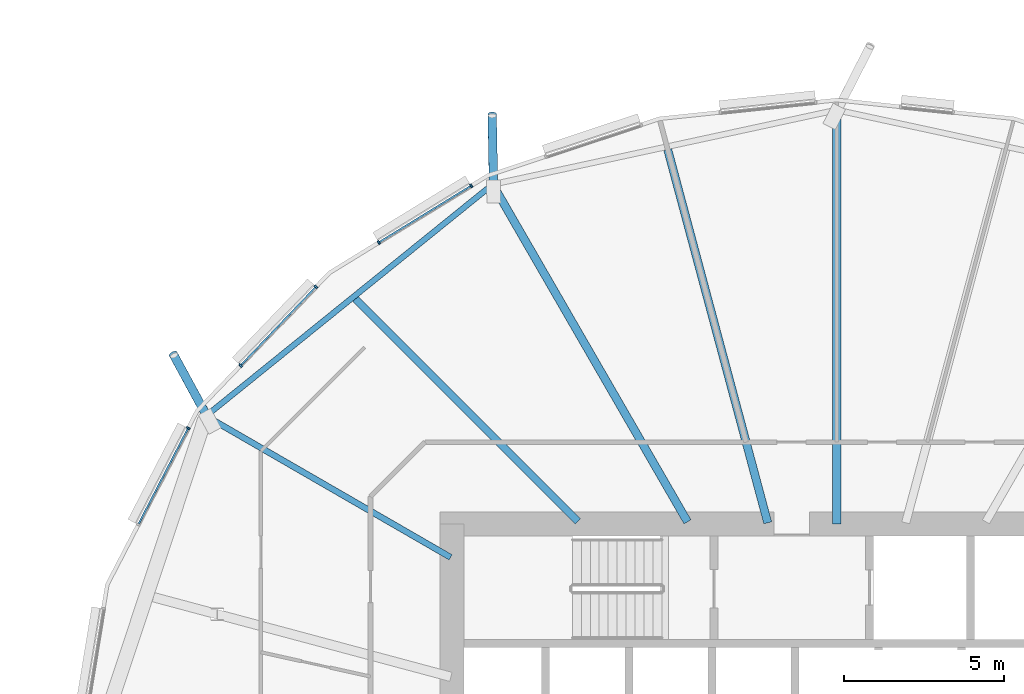
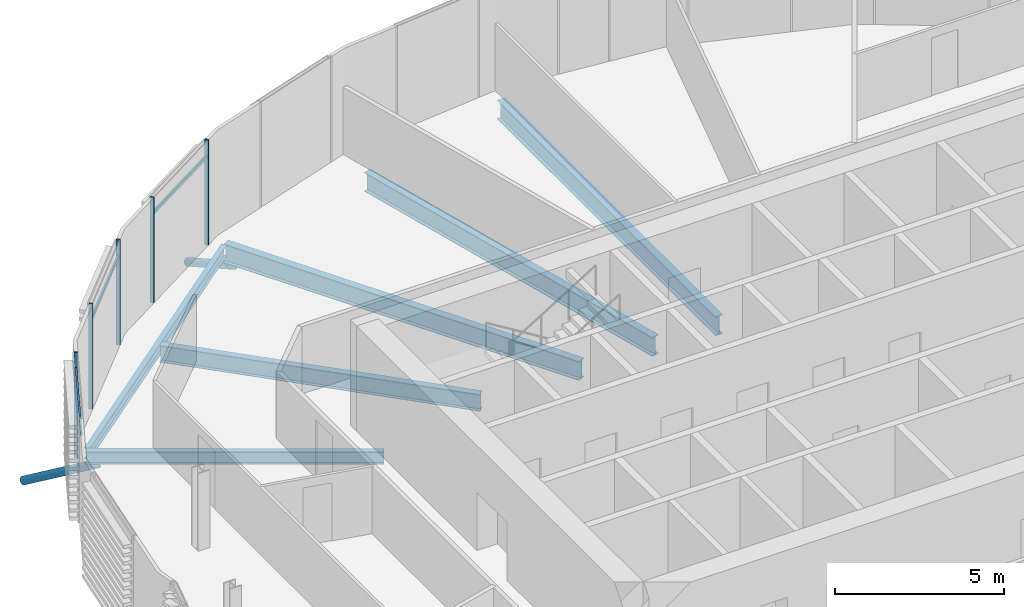
# One storey, part 9 of 43: 10 members, 6 beams, 1 element without a shape of its own.
"""IFC4 building model written with IfcOpenShell, lengths in metres."""

from ifc_helpers import new_model, si_unit, direction, frame, origin, origin_2d, place, context, subcontext, project, spatial, rectangle, hollow_circle, i_section, extrude, clip, halfspace, material, material_profile, profile_set, type_object, element, aggregate, save


model = new_model("IFC4")

# Units and contexts
model_context = context("Model", 3, precision=1e-05, world=origin(), true_north=direction((0.0, 1.0)))
body_context = subcontext(model_context, "Body", "Model", "MODEL_VIEW")
ifc_project = project(units=[si_unit("LENGTHUNIT", "METRE"), si_unit("AREAUNIT", "SQUARE_METRE"), si_unit("VOLUMEUNIT", "CUBIC_METRE"), si_unit("PLANEANGLEUNIT", "RADIAN"), si_unit("MASSUNIT", "GRAM", prefix="KILO")], contexts=[model_context])

# Site, building, storey
site_placement = place(None, origin())
site = spatial("IfcSite", under=ifc_project, at=site_placement, CompositionType="ELEMENT")
building_placement = place(site_placement, origin())
building = spatial("IfcBuilding", under=site, at=building_placement, Name="Rimbun Link Towers", CompositionType="ELEMENT")
storey_placement = place(building_placement, frame((0.0, 0.0, 81.60009765625)))
storey = spatial("IfcBuildingStorey", under=building, at=storey_placement, Name="L19", CompositionType="ELEMENT", Elevation=81.60009765625)

# Curtain wall, members
ifc_material_1 = material(Name="Aluminium 6063-T6 and low-iron glass", Category="aluminium")
curtain_wall_type = type_object("IfcCurtainWallType", Name="CW1-Z2 unitised vision wall (zone 2)", PredefinedType="NOTDEFINED", material=ifc_material_1)
curtain_wall_placement = place(storey_placement, origin())
curtain_wall = element("IfcCurtainWall", 1, at=curtain_wall_placement, inside=storey, type_object=curtain_wall_type, Name="CW1 L19 T1", PredefinedType="NOTDEFINED")
ifc_material_2 = material(Name="Aluminium 6063-T6", Category="aluminium")
ifc_material_profile_1 = material_profile(ifc_material_2, rectangle(XDim=0.1201171875, YDim=0.06005859375, at=origin_2d()), Name="MULLION 60X120")
ifc_profile_set_1 = profile_set([ifc_material_profile_1], Name="Aluminium 6063-T6")
member_type_1 = type_object("IfcMemberType", Name="CW1 mullion 60X120", PredefinedType="MULLION", material=ifc_profile_set_1)
member_1_placement = place(storey_placement, frame((-46.035888671875, 16.781494140625, 0.0), z_axis=(0.0, 0.0, 1.0), x_axis=(-0.523237248968, 0.852187057689, 0.0)))
member_1 = element("IfcMember", 2, at=member_1_placement, type_object=member_type_1, Name="CW1 mullion", PredefinedType="MULLION", context=body_context, shape_type="SweptSolid", body=[
    extrude(rectangle(XDim=0.1201171875, YDim=0.06005859375, at=origin_2d()), origin(), (0.0, 0.0, 1.0), 3.7998046875),
])
member_2_placement = place(storey_placement, frame((-43.154541015625, 18.550537109375, 0.0), z_axis=(0.0, 0.0, 1.0), x_axis=(-0.523237248968, 0.852187057689, 0.0)))
member_2 = element("IfcMember", 3, at=member_2_placement, type_object=member_type_1, Name="CW1 mullion", PredefinedType="MULLION", context=body_context, shape_type="SweptSolid", body=[
    extrude(rectangle(XDim=0.1201171875, YDim=0.06005859375, at=origin_2d()), origin(), (0.0, 0.0, 1.0), 3.7998046875),
])
member_3_placement = place(storey_placement, frame((-50.3505859375, 12.942138671875, 0.0), z_axis=(0.0, 0.0, 1.0), x_axis=(-0.721839179549, 0.692060834658, 0.0)))
member_3 = element("IfcMember", 4, at=member_3_placement, type_object=member_type_1, Name="CW1 mullion", PredefinedType="MULLION", context=body_context, shape_type="SweptSolid", body=[
    extrude(rectangle(XDim=0.1201171875, YDim=0.06005859375, at=origin_2d()), origin(), (0.0, 0.0, 1.0), 3.7998046875),
])
member_4_placement = place(storey_placement, frame((-47.9970703125, 15.39697265625, 0.0), z_axis=(0.0, 0.0, 1.0), x_axis=(-0.721839179549, 0.692060834658, 0.0)))
member_4 = element("IfcMember", 5, at=member_4_placement, type_object=member_type_1, Name="CW1 mullion", PredefinedType="MULLION", context=body_context, shape_type="SweptSolid", body=[
    extrude(rectangle(XDim=0.1201171875, YDim=0.06005859375, at=origin_2d()), origin(), (0.0, 0.0, 1.0), 3.7998046875),
])
member_5_placement = place(storey_placement, frame((-51.985595703125, 10.98779296875, 0.0), z_axis=(0.0, 0.0, 1.0), x_axis=(-0.888154791602, 0.459544411514, 0.0)))
member_5 = element("IfcMember", 6, at=member_5_placement, type_object=member_type_1, Name="CW1 mullion", PredefinedType="MULLION", context=body_context, shape_type="SweptSolid", body=[
    extrude(rectangle(XDim=0.1201171875, YDim=0.06005859375, at=origin_2d()), origin(), (0.0, 0.0, 1.0), 3.7998046875),
])
ifc_material_3 = material(Name="Aluminium 6063-T6", Category="aluminium")
ifc_material_profile_2 = material_profile(ifc_material_3, rectangle(XDim=0.06005859375, YDim=0.1201171875, at=origin_2d()), Name="TRANSOM 60X120")
ifc_profile_set_2 = profile_set([ifc_material_profile_2], Name="Aluminium 6063-T6")
member_type_2 = type_object("IfcMemberType", Name="CW1 transom 60X120", PredefinedType="USERDEFINED", material=ifc_profile_set_2)
member_6_placement = place(storey_placement, frame((-46.00927734375, 16.79541015625, 3.199951171875), z_axis=(0.852167775137, 0.523268652814, 0.0), x_axis=(-0.523268652814, 0.852167775137, 0.0)))
member_6 = element("IfcMember", 7, at=member_6_placement, type_object=member_type_2, Name="CW1 transom", ObjectType="TRANSOM", PredefinedType="USERDEFINED", context=body_context, shape_type="SweptSolid", body=[
    extrude(rectangle(XDim=0.06005859375, YDim=0.1201171875, at=origin_2d()), origin(), (0.0, 0.0, 1.0), 3.321044921875),
])
member_7_placement = place(storey_placement, frame((-50.328369140625, 12.96240234375, 3.199951171875), z_axis=(0.692078357172, 0.721822379491, 0.0), x_axis=(-0.721822379491, 0.692078357172, 0.0)))
member_7 = element("IfcMember", 8, at=member_7_placement, type_object=member_type_2, Name="CW1 transom", ObjectType="TRANSOM", PredefinedType="USERDEFINED", context=body_context, shape_type="SweptSolid", body=[
    extrude(rectangle(XDim=0.06005859375, YDim=0.1201171875, at=origin_2d()), origin(), (0.0, 0.0, 1.0), 3.340576171875),
])
member_8_placement = place(storey_placement, frame((-53.528076171875, 8.00244140625, 3.199951171875), z_axis=(0.459516653287, 0.888169153569, 0.0), x_axis=(-0.888169153569, 0.459516653287, 0.0)))
member_8 = element("IfcMember", 9, at=member_8_placement, type_object=member_type_2, Name="CW1 transom", ObjectType="TRANSOM", PredefinedType="USERDEFINED", context=body_context, shape_type="SweptSolid", body=[
    extrude(rectangle(XDim=0.06005859375, YDim=0.1201171875, at=origin_2d()), origin(), (0.0, 0.0, 1.0), 3.330078125),
])
aggregate(curtain_wall, [member_1, member_2, member_3, member_4, member_5, member_6, member_7, member_8])

# Members
ifc_material_4 = material(Name="Steel S355J2H", Category="steel")
ifc_material_profile_3 = material_profile(ifc_material_4, hollow_circle(Radius=0.136474609375, WallThickness=0.012451171875, at=origin_2d()), Name="CHS 273x12.5")
ifc_profile_set_3 = profile_set([ifc_material_profile_3], Name="Steel S355J2H")
member_type_3 = type_object("IfcMemberType", Name="Floor edge link CHS 273x12.5", PredefinedType="BRACE", material=ifc_profile_set_3)
member_9_placement = place(storey_placement, frame((-42.459228515625, 18.549072265625, -0.96240234375), z_axis=(-0.016806815258, 0.873763406869, -0.486060736717), x_axis=(-0.99981505923, -0.019231415347, 0.0)))
element("IfcMember", 10, at=member_9_placement, inside=storey, type_object=member_type_3, Name="Floor edge link T1 L19 08", PredefinedType="BRACE", context=body_context, shape_type="Clipping", body=[
    clip(extrude(hollow_circle(Radius=0.136474609375, WallThickness=0.012451171875, at=origin_2d()), frame((0.0, 0.0, -0.511474609375)), (0.0, 0.0, 1.0), 3.068115234375), halfspace(frame((0.0, 0.0, -0.240234375), z_axis=(0.0, 0.873925031237, -0.486060736717)), False)),
])
member_10_placement = place(storey_placement, frame((-51.390380859375, 11.33935546875, -0.72998046875), z_axis=(-0.408420751256, 0.752191280358, -0.517108081253), x_axis=(-0.878810151557, -0.477171580797, 0.0)))
element("IfcMember", 11, at=member_10_placement, inside=storey, type_object=member_type_3, Name="Floor edge link T1 L19 10", PredefinedType="BRACE", context=body_context, shape_type="Clipping", body=[
    clip(extrude(hollow_circle(Radius=0.136474609375, WallThickness=0.012451171875, at=origin_2d()), frame((0.0, 0.0, -0.47119140625)), (0.0, 0.0, 1.0), 3.076904296875), halfspace(frame((0.0, 0.0, -0.221435546875), z_axis=(0.0, 0.855920108598, -0.517108081253)), False)),
])

# Beams
ifc_material_5 = material(Name="Steel S355J2", Category="steel")
ifc_material_profile_4 = material_profile(ifc_material_5, i_section(OverallWidth=0.177978515625, OverallDepth=0.406494140625, WebThickness=0.0078125, FlangeThickness=0.0126953125, at=origin_2d()), Name="UB 406x178x60")
ifc_profile_set_4 = profile_set([ifc_material_profile_4], Name="Steel S355J2")
beam_type_1 = type_object("IfcBeamType", Name="UB 406x178x60", PredefinedType="BEAM", material=ifc_profile_set_4)
beam_1_placement = place(storey_placement, frame((-42.5849609375, 18.510986328125, -0.36328125), z_axis=(-0.777961133356, -0.628312402383, 0.0), x_axis=(0.628312402383, -0.777961133356, 0.0)))
element("IfcBeam", 12, at=beam_1_placement, inside=storey, type_object=beam_type_1, Name="Edge beam T1 L19 08-10", PredefinedType="BEAM", context=body_context, shape_type="SweptSolid", body=[
    extrude(i_section(OverallWidth=0.177978515625, OverallDepth=0.406494140625, WebThickness=0.0078125, FlangeThickness=0.0126953125, at=origin_2d()), origin(), (0.0, 0.0, 1.0), 11.271484375),
])
ifc_material_6 = material(Name="Steel S355J2", Category="steel")
ifc_material_profile_5 = material_profile(ifc_material_6, i_section(OverallWidth=0.18994140625, OverallDepth=0.453369140625, WebThickness=0.008544921875, FlangeThickness=0.0126953125, at=origin_2d()), Name="UB 457x191x67")
ifc_profile_set_5 = profile_set([ifc_material_profile_5], Name="Steel S355J2")
beam_type_2 = type_object("IfcBeamType", Name="UB 457x191x67", PredefinedType="BEAM", material=ifc_profile_set_5)
beam_2_placement = place(storey_placement, frame((-43.79833984375, 6.9560546875, -0.38671875), z_axis=(-0.866014040261, 0.500019681684, 0.0), x_axis=(-0.500019681684, -0.866014040261, 0.0)))
element("IfcBeam", 13, at=beam_2_placement, inside=storey, type_object=beam_type_2, Name="Radial beam T1 L19 10", PredefinedType="BEAM", context=body_context, shape_type="SweptSolid", body=[
    extrude(i_section(OverallWidth=0.18994140625, OverallDepth=0.453369140625, WebThickness=0.008544921875, FlangeThickness=0.0126953125, at=origin_2d()), origin(), (0.0, 0.0, 1.0), 8.816650390625),
])
ifc_material_7 = material(Name="Steel S355J2", Category="steel")
ifc_material_profile_6 = material_profile(ifc_material_7, i_section(OverallWidth=0.2275390625, OverallDepth=0.6025390625, WebThickness=0.010498046875, FlangeThickness=0.014892578125, at=origin_2d()), Name="UB 610x229x101")
ifc_profile_set_6 = profile_set([ifc_material_profile_6], Name="Steel S355J2")
beam_type_3 = type_object("IfcBeamType", Name="UB 610x229x101", PredefinedType="BEAM", material=ifc_profile_set_6)
beam_3_placement = place(storey_placement, frame((-39.831298828125, 8.081298828125, -0.46142578125), z_axis=(-0.707106781187, 0.707106781187, 0.0), x_axis=(-0.707106781187, -0.707106781187, 0.0)))
element("IfcBeam", 14, at=beam_3_placement, inside=storey, type_object=beam_type_3, Name="Radial beam T1 L19 09", PredefinedType="BEAM", context=body_context, shape_type="SweptSolid", body=[
    extrude(i_section(OverallWidth=0.2275390625, OverallDepth=0.6025390625, WebThickness=0.010498046875, FlangeThickness=0.014892578125, at=origin_2d()), origin(), (0.0, 0.0, 1.0), 9.809326171875),
])
ifc_material_8 = material(Name="Steel S355J2", Category="steel")
ifc_material_profile_7 = material_profile(ifc_material_8, i_section(OverallWidth=0.253662109375, OverallDepth=0.68359375, WebThickness=0.012451171875, FlangeThickness=0.01904296875, at=origin_2d()), Name="UB 686x254x140")
ifc_profile_set_7 = profile_set([ifc_material_profile_7], Name="Steel S355J2")
beam_type_4 = type_object("IfcBeamType", Name="UB 686x254x140", PredefinedType="BEAM", material=ifc_profile_set_7)
beam_4_placement = place(storey_placement, frame((-31.75, 8.0009765625, -0.501953125), z_axis=(0.0, 1.0, 0.0), x_axis=(-1.0, 0.0, 0.0)))
element("IfcBeam", 15, at=beam_4_placement, inside=storey, type_object=beam_type_4, Name="Radial beam T1 L19 06", PredefinedType="BEAM", context=body_context, shape_type="SweptSolid", body=[
    extrude(i_section(OverallWidth=0.253662109375, OverallDepth=0.68359375, WebThickness=0.012451171875, FlangeThickness=0.01904296875, at=origin_2d()), origin(), (0.0, 0.0, 1.0), 12.91357421875),
])
beam_5_placement = place(storey_placement, frame((-33.902587890625, 8.03369140625, -0.501953125), z_axis=(-0.258821765746, 0.965925097291, 0.0), x_axis=(-0.965925097291, -0.258821765746, 0.0)))
element("IfcBeam", 16, at=beam_5_placement, inside=storey, type_object=beam_type_4, Name="Radial beam T1 L19 07", PredefinedType="BEAM", context=body_context, shape_type="SweptSolid", body=[
    extrude(i_section(OverallWidth=0.253662109375, OverallDepth=0.68359375, WebThickness=0.012451171875, FlangeThickness=0.01904296875, at=origin_2d()), origin(), (0.0, 0.0, 1.0), 12.058837890625),
])
beam_6_placement = place(storey_placement, frame((-36.406005859375, 8.064208984375, -0.501953125), z_axis=(-0.499998860433, 0.866026061713, 0.0), x_axis=(-0.866026061713, -0.499998860433, 0.0)))
element("IfcBeam", 17, at=beam_6_placement, inside=storey, type_object=beam_type_4, Name="Radial beam T1 L19 08", PredefinedType="BEAM", context=body_context, shape_type="SweptSolid", body=[
    extrude(i_section(OverallWidth=0.253662109375, OverallDepth=0.68359375, WebThickness=0.012451171875, FlangeThickness=0.01904296875, at=origin_2d()), origin(), (0.0, 0.0, 1.0), 12.15673828125),
])

save(model, "model.ifc")
